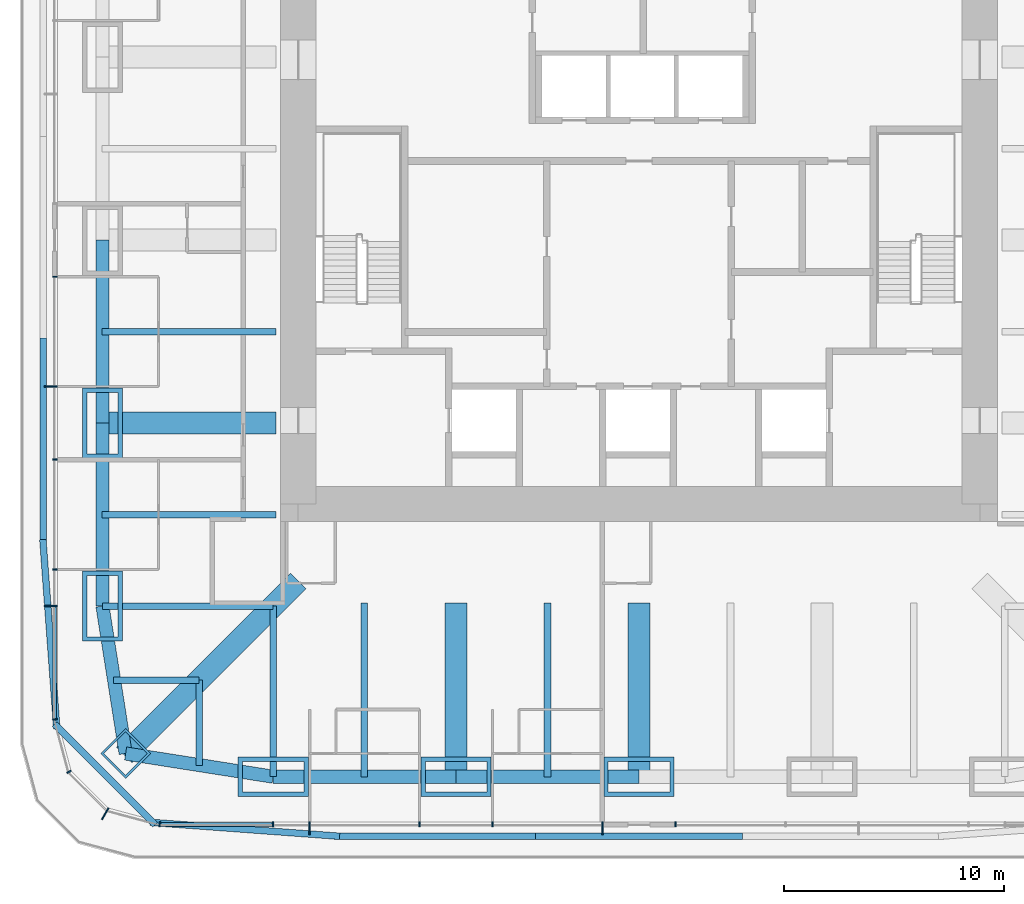
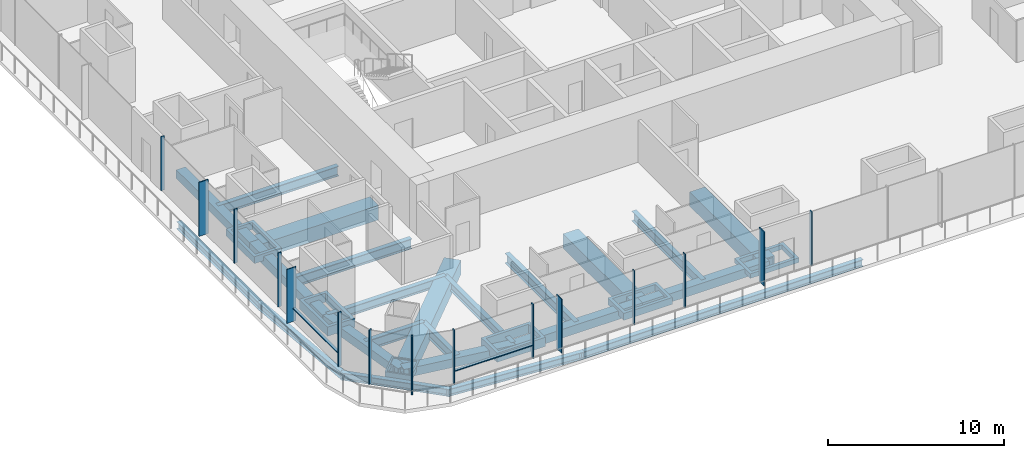
# One storey, part 2 of 15: 33 members, 14 beams, 3 elements without a shape of their own.
"""IFC4 building model written with IfcOpenShell, lengths in metres."""

from ifc_helpers import new_model, si_unit, direction, frame, origin, origin_2d, place, context, subcontext, project, spatial, rectangle, hollow_rectangle, i_section, extrude, material, material_profile, profile_set, type_object, element, aggregate, save


model = new_model("IFC4")

# Units and contexts
model_context = context("Model", 3, precision=1e-05, world=origin(), true_north=direction((0.0, 1.0)))
body_context = subcontext(model_context, "Body", "Model", "MODEL_VIEW")
ifc_project = project(units=[si_unit("LENGTHUNIT", "METRE"), si_unit("AREAUNIT", "SQUARE_METRE"), si_unit("VOLUMEUNIT", "CUBIC_METRE"), si_unit("PLANEANGLEUNIT", "RADIAN"), si_unit("MASSUNIT", "GRAM", prefix="KILO")], contexts=[model_context])

# Site, building, storey
site_placement = place(None, origin())
site = spatial("IfcSite", under=ifc_project, at=site_placement, CompositionType="ELEMENT")
building_placement = place(site_placement, origin())
building = spatial("IfcBuilding", under=site, at=building_placement, Name="Khuree Lantern Residences", CompositionType="ELEMENT")
storey_placement = place(building_placement, frame((0.0, 0.0, 199.5)))
storey = spatial("IfcBuildingStorey", under=building, at=storey_placement, Name="L49", CompositionType="ELEMENT", Elevation=199.5)

# Beams
ifc_material_1 = material(Name="Steel S355", Category="steel")
ifc_material_profile_1 = material_profile(ifc_material_1, i_section(OverallWidth=0.300048828125, OverallDepth=0.68994140625, WebThickness=0.014404296875, FlangeThickness=0.027099609375, FilletRadius=0.027099609375, at=origin_2d()), Name="HE 700 A")
ifc_profile_set_1 = profile_set([ifc_material_profile_1], Name="Steel S355")
beam_type_1 = type_object("IfcBeamType", Name="B-31 SECONDARY BEAM HE 700 A", PredefinedType="BEAM", material=ifc_profile_set_1)
for number, where, z_axis, x_axis, name in (
    (1, (-4.16259765625, -24.416015625, -0.594970703125), (0.0, 1.0, 0.0), (-1.0, 0.0, 0.0), "Secondary beam S4"),
    (2, (-12.487548828125, -24.416015625, -0.594970703125), (0.0, 1.0, 0.0), (-1.0, 0.0, 0.0), "Secondary beam S5"),
):
    element("IfcBeam", number, at=place(storey_placement, frame(where, z_axis=z_axis, x_axis=x_axis)), inside=storey, type_object=beam_type_1, Name=name, PredefinedType="BEAM", context=body_context, shape_type="SweptSolid", body=[
        extrude(i_section(OverallWidth=0.300048828125, OverallDepth=0.68994140625, WebThickness=0.014404296875, FlangeThickness=0.027099609375, FilletRadius=0.027099609375, at=origin_2d()), origin(), (0.0, 0.0, 1.0), 7.916015625),
    ])
for number, where, z_axis, x_axis, name in (
    (3, (-20.005126953125, -23.88818359375, -0.594970703125), (0.0, 1.0, 0.0), (-1.0, 0.0, 0.0), "Secondary beam S6"),
    (4, (-23.88818359375, -20.005126953125, -0.594970703125), (1.0, 0.0, 0.0), (0.0, 1.0, 0.0), "Secondary beam W1"),
):
    element("IfcBeam", number, at=place(storey_placement, frame(where, z_axis=z_axis, x_axis=x_axis)), inside=storey, type_object=beam_type_1, Name=name, PredefinedType="BEAM", context=body_context, shape_type="SweptSolid", body=[
        extrude(i_section(OverallWidth=0.300048828125, OverallDepth=0.68994140625, WebThickness=0.014404296875, FlangeThickness=0.027099609375, FilletRadius=0.027099609375, at=origin_2d()), origin(), (0.0, 0.0, 1.0), 3.883056640625),
    ])
for number, where, z_axis, x_axis, name in (
    (5, (-24.416015625, -12.487548828125, -0.594970703125), (1.0, 0.0, 0.0), (0.0, 1.0, 0.0), "Secondary beam W2"),
    (6, (-24.416015625, -4.16259765625, -0.594970703125), (1.0, 0.0, 0.0), (0.0, 1.0, 0.0), "Secondary beam W3"),
):
    element("IfcBeam", number, at=place(storey_placement, frame(where, z_axis=z_axis, x_axis=x_axis)), inside=storey, type_object=beam_type_1, Name=name, PredefinedType="BEAM", context=body_context, shape_type="SweptSolid", body=[
        extrude(i_section(OverallWidth=0.300048828125, OverallDepth=0.68994140625, WebThickness=0.014404296875, FlangeThickness=0.027099609375, FilletRadius=0.027099609375, at=origin_2d()), origin(), (0.0, 0.0, 1.0), 7.916015625),
    ])

# Members
ifc_material_profile_2 = material_profile(ifc_material_1, hollow_rectangle(XDim=0.60009765625, YDim=0.60009765625, WallThickness=0.050048828125, at=origin_2d()), Name="WELDED BOX 600X600X50")
ifc_profile_set_2 = profile_set([ifc_material_profile_2], Name="Steel S355")
member_type_1 = type_object("IfcMemberType", Name="BT-49 BELT TRUSS CHORD WELDED BOX 600X600X50", PredefinedType="CHORD", material=ifc_profile_set_2)
member_1_placement = place(storey_placement, frame((0.0, -24.39990234375, -0.550048828125), z_axis=(-1.0, 0.0, 0.0), x_axis=(0.0, -1.0, 0.0)))
element("IfcMember", 7, at=member_1_placement, inside=storey, type_object=member_type_1, Name="Belt truss chord S4", PredefinedType="CHORD", context=body_context, shape_type="SweptSolid", body=[
    extrude(hollow_rectangle(XDim=0.60009765625, YDim=0.60009765625, WallThickness=0.050048828125, at=origin_2d()), origin(), (0.0, 0.0, 1.0), 8.320068359375),
])
member_2_placement = place(storey_placement, frame((-8.320068359375, -24.39990234375, -0.550048828125), z_axis=(-1.0, 0.0, 0.0), x_axis=(0.0, -1.0, 0.0)))
element("IfcMember", 8, at=member_2_placement, inside=storey, type_object=member_type_1, Name="Belt truss chord S5", PredefinedType="CHORD", context=body_context, shape_type="SweptSolid", body=[
    extrude(hollow_rectangle(XDim=0.60009765625, YDim=0.60009765625, WallThickness=0.050048828125, at=origin_2d()), origin(), (0.0, 0.0, 1.0), 8.31982421875),
])
for number, where, z_axis, x_axis, name in (
    (9, (-16.639892578125, -24.39990234375, -0.550048828125), (-0.98786743189, 0.155299507442, 0.0), (-0.155299507442, -0.98786743189, 0.0), "Belt truss chord S6"),
    (10, (-23.345703125, -23.345703125, -0.550048828125), (-0.155299507442, 0.98786743189, 0.0), (-0.98786743189, -0.155299507442, 0.0), "Belt truss chord W1"),
):
    element("IfcMember", number, at=place(storey_placement, frame(where, z_axis=z_axis, x_axis=x_axis)), inside=storey, type_object=member_type_1, Name=name, PredefinedType="CHORD", context=body_context, shape_type="SweptSolid", body=[
        extrude(hollow_rectangle(XDim=0.60009765625, YDim=0.60009765625, WallThickness=0.050048828125, at=origin_2d()), origin(), (0.0, 0.0, 1.0), 6.7880859375),
    ])
member_3_placement = place(storey_placement, frame((-24.39990234375, -16.639892578125, -0.550048828125), z_axis=(0.0, 1.0, 0.0), x_axis=(-1.0, 0.0, 0.0)))
element("IfcMember", 11, at=member_3_placement, inside=storey, type_object=member_type_1, Name="Belt truss chord W2", PredefinedType="CHORD", context=body_context, shape_type="SweptSolid", body=[
    extrude(hollow_rectangle(XDim=0.60009765625, YDim=0.60009765625, WallThickness=0.050048828125, at=origin_2d()), origin(), (0.0, 0.0, 1.0), 8.31982421875),
])
member_4_placement = place(storey_placement, frame((-24.39990234375, -8.320068359375, -0.550048828125), z_axis=(0.0, 1.0, 0.0), x_axis=(-1.0, 0.0, 0.0)))
element("IfcMember", 12, at=member_4_placement, inside=storey, type_object=member_type_1, Name="Belt truss chord W3", PredefinedType="CHORD", context=body_context, shape_type="SweptSolid", body=[
    extrude(hollow_rectangle(XDim=0.60009765625, YDim=0.60009765625, WallThickness=0.050048828125, at=origin_2d()), origin(), (0.0, 0.0, 1.0), 8.320068359375),
])

# Curtain wall, members
ifc_material_2 = material(Name="Bronze anodised aluminium", Category="aluminium")
curtain_wall_type_1 = type_object("IfcCurtainWallType", Name="CW-T1 TOWER FACE CURTAIN WALL", PredefinedType="USERDEFINED", material=ifc_material_2)
curtain_wall_1_placement = place(storey_placement, origin())
curtain_wall_1 = element("IfcCurtainWall", 13, at=curtain_wall_1_placement, inside=storey, type_object=curtain_wall_type_1, Name="L49 WEST FACE CURTAIN WALL", ObjectType="Stick-built curtain wall", PredefinedType="USERDEFINED")
ifc_material_profile_3 = material_profile(ifc_material_2, rectangle(XDim=0.06494140625, YDim=0.60009765625, at=origin_2d()), Name="F1 65X600")
ifc_profile_set_3 = profile_set([ifc_material_profile_3], Name="Bronze anodised aluminium")
member_type_2 = type_object("IfcMemberType", Name="F1 BRONZE FIN MULLION TOWER 65X600", PredefinedType="MULLION", material=ifc_profile_set_3)
member_5_placement = place(storey_placement, frame((-26.75, -6.656005859375, 0.0), z_axis=(0.0, 0.0, 1.0), x_axis=(0.0, -1.0, 0.0)))
member_5 = element("IfcMember", 14, at=member_5_placement, type_object=member_type_2, Name="L49 WEST FACE FIN MULLION 39", PredefinedType="MULLION", context=body_context, shape_type="SweptSolid", body=[
    extrude(rectangle(XDim=0.06494140625, YDim=0.60009765625, at=origin_2d()), origin(), (0.0, 0.0, 1.0), 3.75),
])
member_6_placement = place(storey_placement, frame((-26.75, -16.639892578125, 0.0), z_axis=(0.0, 0.0, 1.0), x_axis=(0.0, -1.0, 0.0)))
member_6 = element("IfcMember", 15, at=member_6_placement, type_object=member_type_2, Name="L49 WEST FACE FIN MULLION 42", PredefinedType="MULLION", context=body_context, shape_type="SweptSolid", body=[
    extrude(rectangle(XDim=0.06494140625, YDim=0.60009765625, at=origin_2d()), origin(), (0.0, 0.0, 1.0), 3.75),
])

# Curtain wall, member
curtain_wall_type_2 = type_object("IfcCurtainWallType", Name="CW-T2 TOWER CORNER CURTAIN WALL", PredefinedType="USERDEFINED", material=ifc_material_2)
curtain_wall_2_placement = place(storey_placement, origin())
curtain_wall_2 = element("IfcCurtainWall", 16, at=curtain_wall_2_placement, inside=storey, type_object=curtain_wall_type_2, Name="L49 SOUTH-WEST CORNER CURTAIN WALL", ObjectType="Faceted corner curtain wall", PredefinedType="USERDEFINED")
member_7_placement = place(storey_placement, frame((-24.27490234375, -26.0869140625, 0.0), z_axis=(0.0, 0.0, 1.0), x_axis=(0.866025409797, -0.499999989586, 0.0)))
member_7 = element("IfcMember", 17, at=member_7_placement, type_object=member_type_2, Name="L49 SOUTH-WEST CORNER FIN MULLION 45", PredefinedType="MULLION", context=body_context, shape_type="SweptSolid", body=[
    extrude(rectangle(XDim=0.06494140625, YDim=0.60009765625, at=origin_2d()), origin(), (0.0, 0.0, 1.0), 3.75),
])

# Curtain wall, members
curtain_wall_3_placement = place(storey_placement, origin())
curtain_wall_3 = element("IfcCurtainWall", 18, at=curtain_wall_3_placement, inside=storey, type_object=curtain_wall_type_1, Name="L49 SOUTH FACE CURTAIN WALL", ObjectType="Stick-built curtain wall", PredefinedType="USERDEFINED")
member_8_placement = place(storey_placement, frame((-14.97607421875, -26.75, 0.0), z_axis=(0.0, 0.0, 1.0), x_axis=(1.0, 0.0, 0.0)))
member_8 = element("IfcMember", 19, at=member_8_placement, type_object=member_type_2, Name="L49 SOUTH FACE FIN MULLION 48", PredefinedType="MULLION", context=body_context, shape_type="SweptSolid", body=[
    extrude(rectangle(XDim=0.06494140625, YDim=0.60009765625, at=origin_2d()), origin(), (0.0, 0.0, 1.0), 3.75),
])
member_9_placement = place(storey_placement, frame((-1.6640625, -26.75, 0.0), z_axis=(0.0, 0.0, 1.0), x_axis=(1.0, 0.0, 0.0)))
member_9 = element("IfcMember", 20, at=member_9_placement, type_object=member_type_2, Name="L49 SOUTH FACE FIN MULLION 51", PredefinedType="MULLION", context=body_context, shape_type="SweptSolid", body=[
    extrude(rectangle(XDim=0.06494140625, YDim=0.60009765625, at=origin_2d()), origin(), (0.0, 0.0, 1.0), 3.75),
])

# Beams
ifc_material_profile_4 = material_profile(ifc_material_1, i_section(OverallWidth=0.300048828125, OverallDepth=0.60009765625, WebThickness=0.015380859375, FlangeThickness=0.030029296875, FilletRadius=0.027099609375, at=origin_2d()), Name="HE 600 B")
ifc_profile_set_4 = profile_set([ifc_material_profile_4], Name="Steel S355")
beam_type_2 = type_object("IfcBeamType", Name="G-31 GIRDER HE 600 B", PredefinedType="BEAM", material=ifc_profile_set_4)
for number, where, z_axis, x_axis, name in (
    (21, (-16.639892578125, -24.39990234375, -0.550048828125), (0.0, 1.0, 0.0), (-1.0, 0.0, 0.0), "Girder S5"),
    (22, (-24.39990234375, -16.639892578125, -0.550048828125), (1.0, 0.0, 0.0), (0.0, 1.0, 0.0), "Girder W1"),
):
    element("IfcBeam", number, at=place(storey_placement, frame(where, z_axis=z_axis, x_axis=x_axis)), inside=storey, type_object=beam_type_2, Name=name, PredefinedType="BEAM", context=body_context, shape_type="SweptSolid", body=[
        extrude(i_section(OverallWidth=0.300048828125, OverallDepth=0.60009765625, WebThickness=0.015380859375, FlangeThickness=0.030029296875, FilletRadius=0.027099609375, at=origin_2d()), origin(), (0.0, 0.0, 1.0), 7.760009765625),
    ])

# Member
ifc_material_profile_5 = material_profile(ifc_material_2, rectangle(XDim=0.06494140625, YDim=0.219970703125, at=origin_2d()), Name="M1 65X220")
ifc_profile_set_5 = profile_set([ifc_material_profile_5], Name="Bronze anodised aluminium")
member_type_3 = type_object("IfcMemberType", Name="M1 BRONZE MULLION TOWER 65X220", PredefinedType="MULLION", material=ifc_profile_set_5)
member_10_placement = place(storey_placement, frame((-26.56005859375, -1.6640625, 0.0), z_axis=(0.0, 0.0, 1.0), x_axis=(0.0, -1.0, 0.0)))
member_10 = element("IfcMember", 23, at=member_10_placement, type_object=member_type_3, Name="L49 WEST FACE MULLION 38", PredefinedType="MULLION", context=body_context, shape_type="SweptSolid", body=[
    extrude(rectangle(XDim=0.06494140625, YDim=0.219970703125, at=origin_2d()), origin(), (0.0, 0.0, 1.0), 3.75),
])

member_11_placement = place(storey_placement, frame((-26.56005859375, -9.98388671875, 0.0), z_axis=(0.0, 0.0, 1.0), x_axis=(0.0, -1.0, 0.0)))
member_11 = element("IfcMember", 24, at=member_11_placement, type_object=member_type_3, Name="L49 WEST FACE MULLION 40", PredefinedType="MULLION", context=body_context, shape_type="SweptSolid", body=[
    extrude(rectangle(XDim=0.06494140625, YDim=0.219970703125, at=origin_2d()), origin(), (0.0, 0.0, 1.0), 3.75),
])

member_12_placement = place(storey_placement, frame((-26.56005859375, -14.97607421875, 0.0), z_axis=(0.0, 0.0, 1.0), x_axis=(0.0, -1.0, 0.0)))
member_12 = element("IfcMember", 25, at=member_12_placement, type_object=member_type_3, Name="L49 WEST FACE MULLION 41", PredefinedType="MULLION", context=body_context, shape_type="SweptSolid", body=[
    extrude(rectangle(XDim=0.06494140625, YDim=0.219970703125, at=origin_2d()), origin(), (0.0, 0.0, 1.0), 3.75),
])

member_13_placement = place(storey_placement, frame((-26.561767578125, -21.794921875, 0.0), z_axis=(0.0, 0.0, 1.0), x_axis=(0.130526180298, -0.991444862943, 0.0)))
member_13 = element("IfcMember", 26, at=member_13_placement, type_object=member_type_3, Name="L49 SOUTH-WEST CORNER MULLION 43", PredefinedType="MULLION", context=body_context, shape_type="SweptSolid", body=[
    extrude(rectangle(XDim=0.06494140625, YDim=0.219970703125, at=origin_2d()), origin(), (0.0, 0.0, 1.0), 3.75),
])

member_14_placement = place(storey_placement, frame((-25.92236328125, -24.179931640625, 0.0), z_axis=(0.0, 0.0, 1.0), x_axis=(0.499999989586, -0.866025409797, 0.0)))
member_14 = element("IfcMember", 27, at=member_14_placement, type_object=member_type_3, Name="L49 SOUTH-WEST CORNER MULLION 44", PredefinedType="MULLION", context=body_context, shape_type="SweptSolid", body=[
    extrude(rectangle(XDim=0.06494140625, YDim=0.219970703125, at=origin_2d()), origin(), (0.0, 0.0, 1.0), 3.75),
])

aggregate(curtain_wall_2, [member_13, member_14, member_7])

member_15_placement = place(storey_placement, frame((-21.794921875, -26.561767578125, 0.0), z_axis=(0.0, 0.0, 1.0), x_axis=(0.991444862943, -0.130526180298, 0.0)))
member_15 = element("IfcMember", 28, at=member_15_placement, type_object=member_type_3, Name="L49 SOUTH FACE MULLION 46", PredefinedType="MULLION", context=body_context, shape_type="SweptSolid", body=[
    extrude(rectangle(XDim=0.06494140625, YDim=0.219970703125, at=origin_2d()), origin(), (0.0, 0.0, 1.0), 3.75),
])

member_16_placement = place(storey_placement, frame((-16.639892578125, -26.56005859375, 0.0), z_axis=(0.0, 0.0, 1.0), x_axis=(1.0, 0.0, 0.0)))
member_16 = element("IfcMember", 29, at=member_16_placement, type_object=member_type_3, Name="L49 SOUTH FACE MULLION 47", PredefinedType="MULLION", context=body_context, shape_type="SweptSolid", body=[
    extrude(rectangle(XDim=0.06494140625, YDim=0.219970703125, at=origin_2d()), origin(), (0.0, 0.0, 1.0), 3.75),
])

member_17_placement = place(storey_placement, frame((-9.98388671875, -26.56005859375, 0.0), z_axis=(0.0, 0.0, 1.0), x_axis=(1.0, 0.0, 0.0)))
member_17 = element("IfcMember", 30, at=member_17_placement, type_object=member_type_3, Name="L49 SOUTH FACE MULLION 49", PredefinedType="MULLION", context=body_context, shape_type="SweptSolid", body=[
    extrude(rectangle(XDim=0.06494140625, YDim=0.219970703125, at=origin_2d()), origin(), (0.0, 0.0, 1.0), 3.75),
])

member_18_placement = place(storey_placement, frame((-6.656005859375, -26.56005859375, 0.0), z_axis=(0.0, 0.0, 1.0), x_axis=(1.0, 0.0, 0.0)))
member_18 = element("IfcMember", 31, at=member_18_placement, type_object=member_type_3, Name="L49 SOUTH FACE MULLION 50", PredefinedType="MULLION", context=body_context, shape_type="SweptSolid", body=[
    extrude(rectangle(XDim=0.06494140625, YDim=0.219970703125, at=origin_2d()), origin(), (0.0, 0.0, 1.0), 3.75),
])

member_19_placement = place(storey_placement, frame((1.6640625, -26.56005859375, 0.0), z_axis=(0.0, 0.0, 1.0), x_axis=(1.0, 0.0, 0.0)))
member_19 = element("IfcMember", 32, at=member_19_placement, type_object=member_type_3, Name="L49 SOUTH FACE MULLION 52", PredefinedType="MULLION", context=body_context, shape_type="SweptSolid", body=[
    extrude(rectangle(XDim=0.06494140625, YDim=0.219970703125, at=origin_2d()), origin(), (0.0, 0.0, 1.0), 3.75),
])

# Members
ifc_material_3 = material(Name="Steel S355 CFT welded box", Category="steel")
ifc_material_profile_6 = material_profile(ifc_material_3, hollow_rectangle(XDim=3.199951171875, YDim=1.800048828125, WallThickness=0.199951171875, at=origin_2d()), Name="WELDED BOX 3200X1800X200")
ifc_profile_set_6 = profile_set([ifc_material_profile_6], Name="Steel S355 CFT welded box")
member_type_4 = type_object("IfcMemberType", Name="MN MEGA COLUMN NODE WELDED BOX 3200X1800X200", PredefinedType="MEMBER", material=ifc_profile_set_6)
member_20_placement = place(storey_placement, frame((0.0, -24.39990234375, -0.550048828125), z_axis=(0.0, 0.0, 1.0), x_axis=(1.0, 0.0, 0.0)))
element("IfcMember", 33, at=member_20_placement, inside=storey, type_object=member_type_4, Name="Mega column node S3", PredefinedType="MEMBER", context=body_context, shape_type="SweptSolid", body=[
    extrude(hollow_rectangle(XDim=3.199951171875, YDim=1.800048828125, WallThickness=0.199951171875, at=origin_2d()), origin(), (0.0, 0.0, 1.0), 0.320068359375),
])
member_21_placement = place(storey_placement, frame((-8.320068359375, -24.39990234375, -0.550048828125), z_axis=(0.0, 0.0, 1.0), x_axis=(1.0, 0.0, 0.0)))
element("IfcMember", 34, at=member_21_placement, inside=storey, type_object=member_type_4, Name="Mega column node S4", PredefinedType="MEMBER", context=body_context, shape_type="SweptSolid", body=[
    extrude(hollow_rectangle(XDim=3.199951171875, YDim=1.800048828125, WallThickness=0.199951171875, at=origin_2d()), origin(), (0.0, 0.0, 1.0), 0.47998046875),
])
for number, where, z_axis, x_axis, name in (
    (35, (-16.639892578125, -24.39990234375, -0.550048828125), (0.0, 0.0, 1.0), (1.0, 0.0, 0.0), "Mega column node S5"),
    (36, (-24.39990234375, -16.639892578125, -0.550048828125), (0.0, 0.0, 1.0), (0.0, 1.0, 0.0), "Mega column node W1"),
):
    element("IfcMember", number, at=place(storey_placement, frame(where, z_axis=z_axis, x_axis=x_axis)), inside=storey, type_object=member_type_4, Name=name, PredefinedType="MEMBER", context=body_context, shape_type="SweptSolid", body=[
        extrude(hollow_rectangle(XDim=3.199951171875, YDim=1.800048828125, WallThickness=0.199951171875, at=origin_2d()), origin(), (0.0, 0.0, 1.0), 0.630126953125),
    ])
member_22_placement = place(storey_placement, frame((-24.39990234375, -8.320068359375, -0.550048828125), z_axis=(0.0, 0.0, 1.0), x_axis=(0.0, 1.0, 0.0)))
element("IfcMember", 37, at=member_22_placement, inside=storey, type_object=member_type_4, Name="Mega column node W2", PredefinedType="MEMBER", context=body_context, shape_type="SweptSolid", body=[
    extrude(hollow_rectangle(XDim=3.199951171875, YDim=1.800048828125, WallThickness=0.199951171875, at=origin_2d()), origin(), (0.0, 0.0, 1.0), 0.47998046875),
])
ifc_material_profile_7 = material_profile(ifc_material_3, hollow_rectangle(XDim=1.60009765625, YDim=1.60009765625, WallThickness=0.10009765625, at=origin_2d()), Name="WELDED BOX 1600X1600X100")
ifc_profile_set_7 = profile_set([ifc_material_profile_7], Name="Steel S355 CFT welded box")
member_type_5 = type_object("IfcMemberType", Name="MNA MEGA COLUMN NODE WELDED BOX 1600X1600X100", PredefinedType="MEMBER", material=ifc_profile_set_7)
member_23_placement = place(storey_placement, frame((-23.345703125, -23.345703125, -0.550048828125), z_axis=(0.0, 0.0, 1.0), x_axis=(0.707106781187, -0.707106781187, 0.0)))
element("IfcMember", 38, at=member_23_placement, inside=storey, type_object=member_type_5, Name="Mega column node SW", PredefinedType="MEMBER", context=body_context, shape_type="SweptSolid", body=[
    extrude(hollow_rectangle(XDim=1.60009765625, YDim=1.60009765625, WallThickness=0.10009765625, at=origin_2d()), origin(), (0.0, 0.0, 1.0), 0.360107421875),
])
ifc_material_profile_8 = material_profile(ifc_material_1, hollow_rectangle(XDim=1.0, YDim=1.0, WallThickness=0.080078125, at=origin_2d()), Name="WELDED BOX 1000X1000X80")
ifc_profile_set_8 = profile_set([ifc_material_profile_8], Name="Steel S355")
member_type_6 = type_object("IfcMemberType", Name="OT-49 OUTRIGGER TRUSS CHORD WELDED BOX 1000X1000X80", PredefinedType="CHORD", material=ifc_profile_set_8)
for number, where, z_axis, x_axis, name in (
    (39, (0.0, -24.39990234375, -0.75), (0.0, 1.0, 0.0), (-1.0, 0.0, 0.0), "Outrigger chord S3"),
    (40, (-8.320068359375, -24.39990234375, -0.75), (0.0, 1.0, 0.0), (-1.0, 0.0, 0.0), "Outrigger chord S4"),
    (41, (-24.39990234375, -8.320068359375, -0.75), (1.0, 0.0, 0.0), (0.0, 1.0, 0.0), "Outrigger chord W2"),
):
    element("IfcMember", number, at=place(storey_placement, frame(where, z_axis=z_axis, x_axis=x_axis)), inside=storey, type_object=member_type_6, Name=name, PredefinedType="CHORD", context=body_context, shape_type="SweptSolid", body=[
        extrude(hollow_rectangle(XDim=1.0, YDim=1.0, WallThickness=0.080078125, at=origin_2d()), origin(), (0.0, 0.0, 1.0), 7.89990234375),
    ])
member_24_placement = place(storey_placement, frame((-23.412109375, -23.412109375, -0.75), z_axis=(0.707106781187, 0.707106781187, 0.0), x_axis=(-0.707106781187, 0.707106781187, 0.0)))
element("IfcMember", 42, at=member_24_placement, inside=storey, type_object=member_type_6, Name="Outrigger chord SW", PredefinedType="CHORD", context=body_context, shape_type="SweptSolid", body=[
    extrude(hollow_rectangle(XDim=1.0, YDim=1.0, WallThickness=0.080078125, at=origin_2d()), origin(), (0.0, 0.0, 1.0), 11.189453125),
])

# Beams
ifc_material_profile_9 = material_profile(ifc_material_1, i_section(OverallWidth=0.300048828125, OverallDepth=0.5, WebThickness=0.014404296875, FlangeThickness=0.028076171875, FilletRadius=0.027099609375, at=origin_2d()), Name="HE 500 B")
ifc_profile_set_9 = profile_set([ifc_material_profile_9], Name="Steel S355")
beam_type_3 = type_object("IfcBeamType", Name="TB1 TERRACE EDGE BEAM HE 500 B", PredefinedType="BEAM", material=ifc_profile_set_9)
beam_1_placement = place(storey_placement, frame((4.705078125, -27.10009765625, -0.5), z_axis=(-1.0, 0.0, 0.0), x_axis=(0.0, -1.0, 0.0)))
element("IfcBeam", 43, at=beam_1_placement, inside=storey, type_object=beam_type_3, Name="Terrace edge beam S3", PredefinedType="BEAM", context=body_context, shape_type="SweptSolid", body=[
    extrude(i_section(OverallWidth=0.300048828125, OverallDepth=0.5, WebThickness=0.014404296875, FlangeThickness=0.028076171875, FilletRadius=0.027099609375, at=origin_2d()), origin(), (0.0, 0.0, 1.0), 9.41015625),
])
beam_2_placement = place(storey_placement, frame((-4.455078125, -27.10009765625, -0.5), z_axis=(-1.0, 0.0, 0.0), x_axis=(0.0, -1.0, 0.0)))
element("IfcBeam", 44, at=beam_2_placement, inside=storey, type_object=beam_type_3, Name="Terrace edge beam S4", PredefinedType="BEAM", context=body_context, shape_type="SweptSolid", body=[
    extrude(i_section(OverallWidth=0.300048828125, OverallDepth=0.5, WebThickness=0.014404296875, FlangeThickness=0.028076171875, FilletRadius=0.027099609375, at=origin_2d()), origin(), (0.0, 0.0, 1.0), 9.409912109375),
])
beam_3_placement = place(storey_placement, frame((-13.615234375, -27.109130859375, -0.5), z_axis=(-0.997302235715, 0.073404704465, 0.0), x_axis=(-0.073404704465, -0.997302235715, 0.0)))
element("IfcBeam", 45, at=beam_3_placement, inside=storey, type_object=beam_type_3, Name="Terrace edge beam S5", PredefinedType="BEAM", context=body_context, shape_type="SweptSolid", body=[
    extrude(i_section(OverallWidth=0.300048828125, OverallDepth=0.5, WebThickness=0.014404296875, FlangeThickness=0.028076171875, FilletRadius=0.027099609375, at=origin_2d()), origin(), (0.0, 0.0, 1.0), 8.62744140625),
])
beam_4_placement = place(storey_placement, frame((-22.006591796875, -26.5732421875, -0.5), z_axis=(-0.707106781187, 0.707106781187, 0.0), x_axis=(-0.707106781187, -0.707106781187, 0.0)))
element("IfcBeam", 46, at=beam_4_placement, inside=storey, type_object=beam_type_3, Name="Terrace edge beam S6", PredefinedType="BEAM", context=body_context, shape_type="SweptSolid", body=[
    extrude(i_section(OverallWidth=0.300048828125, OverallDepth=0.5, WebThickness=0.014404296875, FlangeThickness=0.028076171875, FilletRadius=0.027099609375, at=origin_2d()), origin(), (0.0, 0.0, 1.0), 6.458251953125),
])
beam_5_placement = place(storey_placement, frame((-26.475830078125, -22.219482421875, -0.5), z_axis=(-0.073404704465, 0.997302235715, 0.0), x_axis=(-0.997302235715, -0.073404704465, 0.0)))
element("IfcBeam", 47, at=beam_5_placement, inside=storey, type_object=beam_type_3, Name="Terrace edge beam W1", PredefinedType="BEAM", context=body_context, shape_type="SweptSolid", body=[
    extrude(i_section(OverallWidth=0.300048828125, OverallDepth=0.5, WebThickness=0.014404296875, FlangeThickness=0.028076171875, FilletRadius=0.027099609375, at=origin_2d()), origin(), (0.0, 0.0, 1.0), 8.62744140625),
])
beam_6_placement = place(storey_placement, frame((-27.10009765625, -13.864990234375, -0.5), z_axis=(0.0, 1.0, 0.0), x_axis=(-1.0, 0.0, 0.0)))
element("IfcBeam", 48, at=beam_6_placement, inside=storey, type_object=beam_type_3, Name="Terrace edge beam W2", PredefinedType="BEAM", context=body_context, shape_type="SweptSolid", body=[
    extrude(i_section(OverallWidth=0.300048828125, OverallDepth=0.5, WebThickness=0.014404296875, FlangeThickness=0.028076171875, FilletRadius=0.027099609375, at=origin_2d()), origin(), (0.0, 0.0, 1.0), 9.409912109375),
])

# Member
ifc_material_profile_10 = material_profile(ifc_material_2, rectangle(XDim=0.179931640625, YDim=0.06494140625, at=origin_2d()), Name="T1 180X65")
ifc_profile_set_10 = profile_set([ifc_material_profile_10], Name="Bronze anodised aluminium")
member_type_7 = type_object("IfcMemberType", Name="TRANSOM T1 TOWER 180X65", PredefinedType="USERDEFINED", material=ifc_profile_set_10)
member_25_placement = place(storey_placement, frame((-26.570068359375, -16.672607421875, 0.89990234375), z_axis=(0.0, -1.0, 0.0), x_axis=(1.0, 0.0, 0.0)))
member_25 = element("IfcMember", 49, at=member_25_placement, type_object=member_type_7, Name="L49 WEST FACE TRANSOM 42.1", ObjectType="Transom", PredefinedType="USERDEFINED", context=body_context, shape_type="SweptSolid", body=[
    extrude(rectangle(XDim=0.179931640625, YDim=0.06494140625, at=origin_2d()), origin(), (0.0, 0.0, 1.0), 5.078857421875),
])

aggregate(curtain_wall_1, [member_10, member_5, member_11, member_12, member_6, member_25])

member_26_placement = place(storey_placement, frame((-21.75146484375, -26.570068359375, 0.89990234375), z_axis=(1.0, 0.0, 0.0), x_axis=(0.0, 1.0, 0.0)))
member_26 = element("IfcMember", 50, at=member_26_placement, type_object=member_type_7, Name="L49 SOUTH FACE TRANSOM 46.1", ObjectType="Transom", PredefinedType="USERDEFINED", context=body_context, shape_type="SweptSolid", body=[
    extrude(rectangle(XDim=0.179931640625, YDim=0.06494140625, at=origin_2d()), origin(), (0.0, 0.0, 1.0), 5.078857421875),
])

aggregate(curtain_wall_3, [member_15, member_16, member_8, member_17, member_18, member_9, member_19, member_26])

save(model, "model.ifc")
